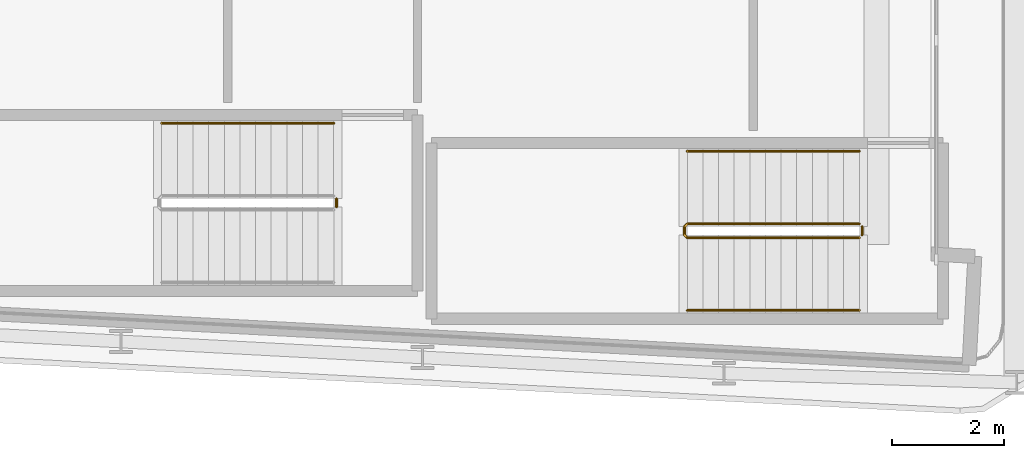
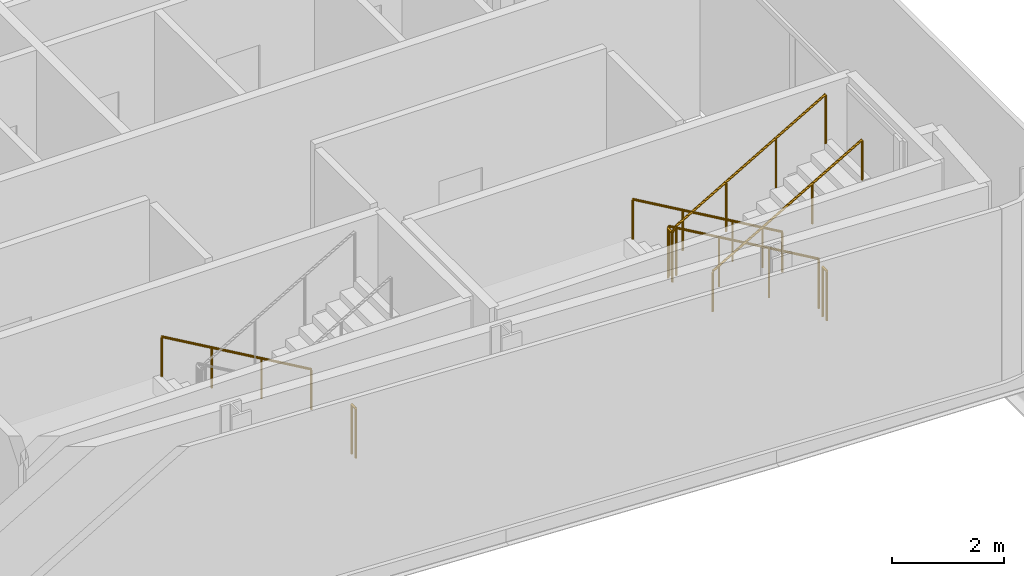
# One storey, part 21 of 24: 6 railings.
"""IFC4 building model written with IfcOpenShell, lengths in metres."""

from ifc_helpers import new_model, si_unit, direction, frame, origin, origin_2d, place, context, subcontext, project, spatial, circle, extrude, material, type_object, element, save


model = new_model("IFC4")

# Units and contexts
model_context = context("Model", 3, precision=1e-05, world=origin(), true_north=direction((0.0, 1.0)))
body_context = subcontext(model_context, "Body", "Model", "MODEL_VIEW")
ifc_project = project(units=[si_unit("LENGTHUNIT", "METRE"), si_unit("AREAUNIT", "SQUARE_METRE"), si_unit("VOLUMEUNIT", "CUBIC_METRE"), si_unit("PLANEANGLEUNIT", "RADIAN"), si_unit("MASSUNIT", "GRAM", prefix="KILO")], contexts=[model_context])

# Site, building, storey
site_placement = place(None, origin())
site = spatial("IfcSite", under=ifc_project, at=site_placement, CompositionType="ELEMENT")
building_placement = place(site_placement, origin())
building = spatial("IfcBuilding", under=site, at=building_placement, Name="Kheshtan School and Residences Tower", CompositionType="ELEMENT")
storey_placement = place(building_placement, frame((0.0, 0.0, 160.39990234375)))
storey = spatial("IfcBuildingStorey", under=building, at=storey_placement, Name="L37", CompositionType="ELEMENT", Elevation=160.39990234375)

# Railings
ifc_material_1 = material(Name="Stainless steel balustrade", Category="steel")
railing_type_1 = type_object("IfcRailingType", Name="Stair guard 1100", PredefinedType="GUARDRAIL", material=ifc_material_1)
railing_1_placement = place(storey_placement, frame((87.820068359375, 23.949951171875, 0.16259765625)))
element("IfcRailing", 1, at=railing_1_placement, inside=storey, type_object=railing_type_1, Name="L37 ST4 stair guard 1", PredefinedType="GUARDRAIL", context=body_context, shape_type="SweptSolid", body=[
    extrude(circle(Radius=0.02392578125, at=origin_2d()), frame((0.0, 0.0, 1.076171875), z_axis=(-0.864890721111, 0.0, 0.501960198159), x_axis=(0.0, -1.0, 0.0)), (0.0, 0.0, 1.0), 3.561279296875),
    extrude(circle(Radius=0.02392578125, at=origin_2d()), frame((-3.080078125, 0.0, 2.86376953125), z_axis=(-0.707106781187, -0.707106781187, 0.0), x_axis=(0.707106781187, -0.707106781187, 0.0)), (0.0, 0.0, 1.0), 0.07080078125),
    extrude(circle(Radius=0.02392578125, at=origin_2d()), frame((-3.130126953125, -0.050048828125, 2.86376953125), z_axis=(0.0, -1.0, 0.0), x_axis=(1.0, 0.0, 0.0)), (0.0, 0.0, 1.0), 0.14990234375),
    extrude(circle(Radius=0.02392578125, at=origin_2d()), frame((-3.130126953125, -0.199951171875, 2.86376953125), z_axis=(0.282583949758, -0.282583949758, 0.916674763849), x_axis=(0.707106781187, 0.707106781187, 0.0)), (0.0, 0.0, 1.0), 0.177001953125),
    extrude(circle(Radius=0.02392578125, at=origin_2d()), frame((-3.080078125, -0.25, 3.02587890625), z_axis=(0.864890721111, 0.0, 0.501960198159), x_axis=(0.0, 1.0, 0.0)), (0.0, 0.0, 1.0), 3.561279296875),
    extrude(circle(Radius=0.02099609375, at=origin_2d()), origin(), (0.0, 0.0, 1.0), 1.052001953125),
    extrude(circle(Radius=0.02099609375, at=origin_2d()), frame((-1.026611328125, 0.0, 0.595947265625)), (0.0, 0.0, 1.0), 1.052001953125),
    extrude(circle(Radius=0.02099609375, at=origin_2d()), frame((-2.053466796875, 0.0, 1.191650390625)), (0.0, 0.0, 1.0), 1.052001953125),
    extrude(circle(Radius=0.02099609375, at=origin_2d()), frame((-3.080078125, 0.0, 1.78759765625)), (0.0, 0.0, 1.0), 1.052001953125),
    extrude(circle(Radius=0.02099609375, at=origin_2d()), frame((-3.130126953125, -0.050048828125, 1.78759765625)), (0.0, 0.0, 1.0), 1.052001953125),
    extrude(circle(Radius=0.02099609375, at=origin_2d()), frame((-3.130126953125, -0.199951171875, 1.78759765625)), (0.0, 0.0, 1.0), 1.052001953125),
    extrude(circle(Radius=0.02099609375, at=origin_2d()), frame((-3.080078125, -0.25, 1.949951171875)), (0.0, 0.0, 1.0), 1.052001953125),
    extrude(circle(Radius=0.02099609375, at=origin_2d()), frame((-2.053466796875, -0.25, 2.5458984375)), (0.0, 0.0, 1.0), 1.052001953125),
    extrude(circle(Radius=0.02099609375, at=origin_2d()), frame((-1.026611328125, -0.25, 3.1416015625)), (0.0, 0.0, 1.0), 1.052001953125),
    extrude(circle(Radius=0.02099609375, at=origin_2d()), frame((0.0, -0.25, 3.737548828125)), (0.0, 0.0, 1.0), 1.052001953125),
])
for number, where, name in (
    (2, (87.8701171875, 23.89990234375, 0.0), "L37 ST4 stair guard 2"),
    (3, (78.4599609375, 24.39990234375, 0.0), "L37 ST5 stair guard 2"),
):
    element("IfcRailing", number, at=place(storey_placement, frame(where)), inside=storey, type_object=railing_type_1, Name=name, PredefinedType="GUARDRAIL", context=body_context, shape_type="SweptSolid", body=[
        extrude(circle(Radius=0.02392578125, at=origin_2d()), frame((0.0, 0.0, 1.076171875), z_axis=(0.0, -1.0, 0.0), x_axis=(1.0, 0.0, 0.0)), (0.0, 0.0, 1.0), 0.14990234375),
        extrude(circle(Radius=0.02099609375, at=origin_2d()), origin(), (0.0, 0.0, 1.0), 1.052001953125),
        extrude(circle(Radius=0.02099609375, at=origin_2d()), frame((0.0, -0.14990234375, 0.0)), (0.0, 0.0, 1.0), 1.052001953125),
    ])
ifc_material_2 = material(Name="Stainless steel handrail", Category="steel")
railing_type_2 = type_object("IfcRailingType", Name="Stair handrail 900", PredefinedType="HANDRAIL", material=ifc_material_2)
railing_2_placement = place(storey_placement, frame((87.820068359375, 25.25, 0.16259765625)))
element("IfcRailing", 4, at=railing_2_placement, inside=storey, type_object=railing_type_2, Name="L37 ST4 stair handrail 1", PredefinedType="HANDRAIL", context=body_context, shape_type="SweptSolid", body=[
    extrude(circle(Radius=0.02392578125, at=origin_2d()), frame((0.0, 0.0, 0.8759765625), z_axis=(-0.864890721111, 0.0, 0.501960198159), x_axis=(0.0, -1.0, 0.0)), (0.0, 0.0, 1.0), 3.561279296875),
    extrude(circle(Radius=0.02099609375, at=origin_2d()), origin(), (0.0, 0.0, 1.0), 0.851806640625),
    extrude(circle(Radius=0.02099609375, at=origin_2d()), frame((-1.026611328125, 0.0, 0.595947265625)), (0.0, 0.0, 1.0), 0.851806640625),
    extrude(circle(Radius=0.02099609375, at=origin_2d()), frame((-2.053466796875, 0.0, 1.191650390625)), (0.0, 0.0, 1.0), 0.851806640625),
    extrude(circle(Radius=0.02099609375, at=origin_2d()), frame((-3.080078125, 0.0, 1.78759765625)), (0.0, 0.0, 1.0), 0.851806640625),
])
railing_3_placement = place(storey_placement, frame((84.739990234375, 22.39990234375, 2.112548828125)))
element("IfcRailing", 5, at=railing_3_placement, inside=storey, type_object=railing_type_2, Name="L37 ST4 stair handrail 2", PredefinedType="HANDRAIL", context=body_context, shape_type="SweptSolid", body=[
    extrude(circle(Radius=0.02392578125, at=origin_2d()), frame((0.0, 0.0, 0.8759765625), z_axis=(0.864890721111, 0.0, 0.501960198159), x_axis=(0.0, 1.0, 0.0)), (0.0, 0.0, 1.0), 3.561279296875),
    extrude(circle(Radius=0.02099609375, at=origin_2d()), origin(), (0.0, 0.0, 1.0), 0.851806640625),
    extrude(circle(Radius=0.02099609375, at=origin_2d()), frame((1.026611328125, 0.0, 0.595947265625)), (0.0, 0.0, 1.0), 0.851806640625),
    extrude(circle(Radius=0.02099609375, at=origin_2d()), frame((2.053466796875, 0.0, 1.191650390625)), (0.0, 0.0, 1.0), 0.851806640625),
    extrude(circle(Radius=0.02099609375, at=origin_2d()), frame((3.080078125, 0.0, 1.78759765625)), (0.0, 0.0, 1.0), 0.851806640625),
])
railing_4_placement = place(storey_placement, frame((78.409912109375, 25.75, 0.16259765625)))
element("IfcRailing", 6, at=railing_4_placement, inside=storey, type_object=railing_type_2, Name="L37 ST5 stair handrail 1", PredefinedType="HANDRAIL", context=body_context, shape_type="SweptSolid", body=[
    extrude(circle(Radius=0.02392578125, at=origin_2d()), frame((0.0, 0.0, 0.8759765625), z_axis=(-0.864873446163, 0.0, 0.501989962173), x_axis=(0.0, -1.0, 0.0)), (0.0, 0.0, 1.0), 3.56103515625),
    extrude(circle(Radius=0.02099609375, at=origin_2d()), origin(), (0.0, 0.0, 1.0), 0.851806640625),
    extrude(circle(Radius=0.02099609375, at=origin_2d()), frame((-1.026611328125, 0.0, 0.595947265625)), (0.0, 0.0, 1.0), 0.851806640625),
    extrude(circle(Radius=0.02099609375, at=origin_2d()), frame((-2.05322265625, 0.0, 1.191650390625)), (0.0, 0.0, 1.0), 0.851806640625),
    extrude(circle(Radius=0.02099609375, at=origin_2d()), frame((-3.079833984375, 0.0, 1.78759765625)), (0.0, 0.0, 1.0), 0.851806640625),
])

save(model, "model.ifc")
